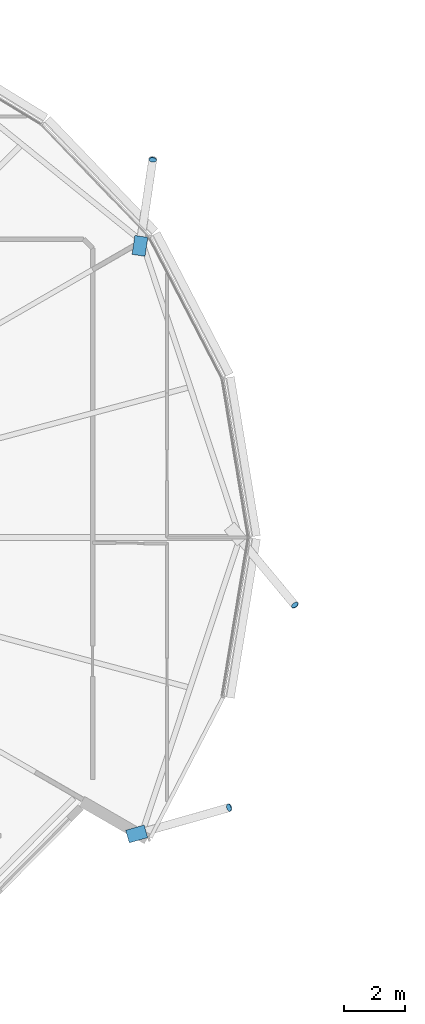
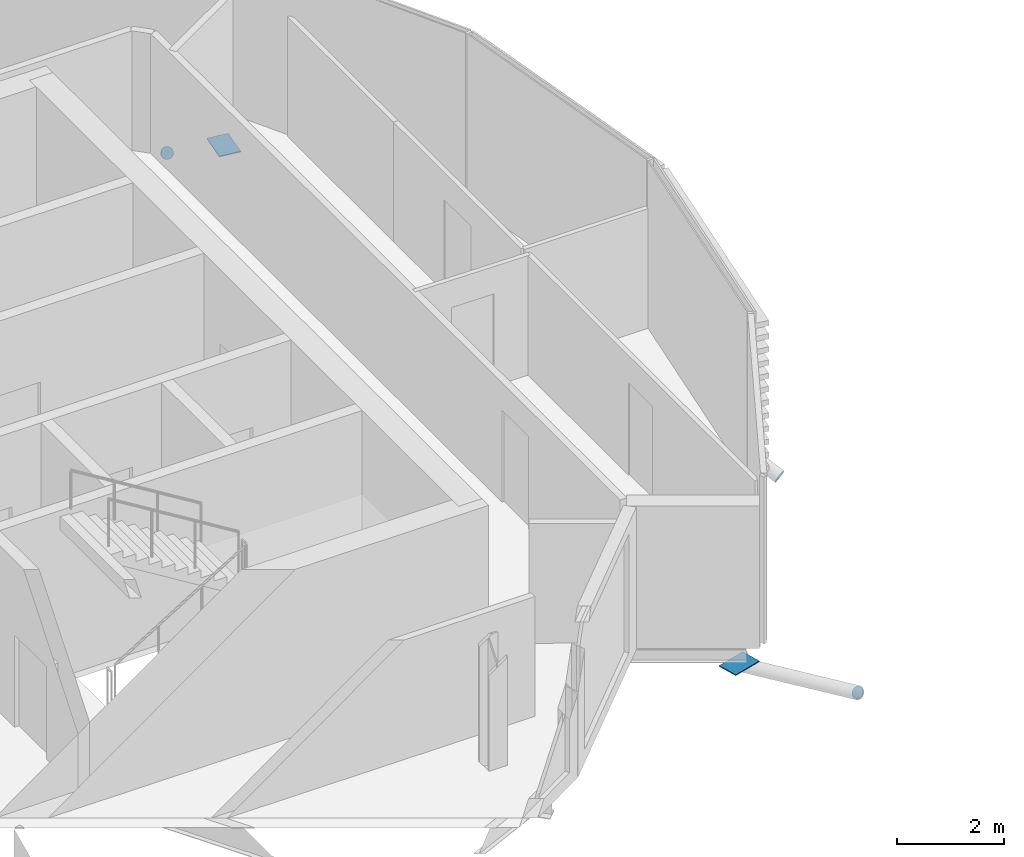
# One storey, part 24 of 33: 5 discrete accessories.
"""IFC4 building model written with IfcOpenShell, lengths in metres."""

from ifc_helpers import new_model, si_unit, direction, frame, origin, origin_2d, place, context, subcontext, project, spatial, polyline, rectangle, circle, outline, extrude, material, material_profile, profile_set, type_object, element, save


model = new_model("IFC4")

# Units and contexts
model_context = context("Model", 3, precision=1e-05, world=origin(), true_north=direction((0.0, 1.0)))
body_context = subcontext(model_context, "Body", "Model", "MODEL_VIEW")
ifc_project = project(units=[si_unit("LENGTHUNIT", "METRE"), si_unit("AREAUNIT", "SQUARE_METRE"), si_unit("VOLUMEUNIT", "CUBIC_METRE"), si_unit("PLANEANGLEUNIT", "RADIAN"), si_unit("MASSUNIT", "GRAM", prefix="KILO")], contexts=[model_context])

# Site, building, storey
site_placement = place(None, origin())
site = spatial("IfcSite", under=ifc_project, at=site_placement, CompositionType="ELEMENT")
building_placement = place(site_placement, origin())
building = spatial("IfcBuilding", under=site, at=building_placement, Name="Rimbun Link Towers", CompositionType="ELEMENT")
storey_placement = place(building_placement, frame((0.0, 0.0, 240.89990234375)))
storey = spatial("IfcBuildingStorey", under=building, at=storey_placement, Name="L59", CompositionType="ELEMENT", Elevation=240.89990234375)

# Discrete accessories
ifc_material_1 = material(Name="Steel S355J2H", Category="steel")
ifc_material_profile_1 = material_profile(ifc_material_1, circle(Radius=0.1240234375, at=origin_2d()), Name="PL D248")
ifc_profile_set_1 = profile_set([ifc_material_profile_1], Name="Steel S355J2H")
discrete_accessory_type_1 = type_object("IfcDiscreteAccessoryType", Name="Link foot sealing plate D248X20", PredefinedType="BRACKET", material=ifc_profile_set_1)
discrete_accessory_1_placement = place(storey_placement, frame((-9.773193359375, -2.228515625, -2.59228515625), z_axis=(0.529534163287, -0.652681643121, -0.54184891127), x_axis=(0.776561986372, 0.630040856868, 0.0)))
element("IfcDiscreteAccessory", 1, at=discrete_accessory_1_placement, inside=storey, type_object=discrete_accessory_type_1, Name="Link foot sealing plate T1 L59 00", PredefinedType="BRACKET", context=body_context, shape_type="SweptSolid", body=[
    extrude(circle(Radius=0.1240234375, at=origin_2d()), origin(), (0.0, 0.0, 1.0), 0.019775390625),
])
discrete_accessory_2_placement = place(storey_placement, frame((-14.46240234375, 12.460205078125, -2.497802734375), z_axis=(0.109617614286, 0.803862504766, -0.584627276193), x_axis=(-0.990830168044, 0.135113204733, 0.0)))
element("IfcDiscreteAccessory", 2, at=discrete_accessory_2_placement, inside=storey, type_object=discrete_accessory_type_1, Name="Link foot sealing plate T1 L59 02", PredefinedType="BRACKET", context=body_context, shape_type="SweptSolid", body=[
    extrude(circle(Radius=0.1240234375, at=origin_2d()), origin(), (0.0, 0.0, 1.0), 0.02001953125),
])
discrete_accessory_3_placement = place(storey_placement, frame((-11.945556640625, -8.918701171875, -2.701171875), z_axis=(0.786060484077, 0.221079511147, -0.577263167994), x_axis=(-0.270745576918, 0.962650940154, 0.0)))
element("IfcDiscreteAccessory", 3, at=discrete_accessory_3_placement, inside=storey, type_object=discrete_accessory_type_1, Name="Link foot sealing plate T1 L59 22", PredefinedType="BRACKET", context=body_context, shape_type="SweptSolid", body=[
    extrude(circle(Radius=0.1240234375, at=origin_2d()), origin(), (0.0, 0.0, 1.0), 0.019775390625),
])
ifc_material_2 = material(Name="Steel S355J2H", Category="steel")
ifc_material_profile_2 = material_profile(ifc_material_2, rectangle(XDim=0.43310546875, YDim=0.43310546875, at=origin_2d()), Name="PL 433x433")
ifc_profile_set_2 = profile_set([ifc_material_profile_2], Name="Steel S355J2H")
discrete_accessory_type_2 = type_object("IfcDiscreteAccessoryType", Name="Link head end plate 433X20", PredefinedType="BRACKET", material=ifc_profile_set_2)
discrete_accessory_4_placement = place(storey_placement, frame((0.0, 0.0, -0.46337890625)))
element("IfcDiscreteAccessory", 4, at=discrete_accessory_4_placement, inside=storey, type_object=discrete_accessory_type_2, Name="Link head end plate T1 L59 02", PredefinedType="BRACKET", context=body_context, shape_type="SweptSolid", body=[
    extrude(outline(polyline([(-14.715576171875, 9.27685546875), (-14.622802734375, 9.902099609375), (-15.05126953125, 9.965576171875), (-15.143798828125, 9.34033203125), (-14.715576171875, 9.27685546875)])), origin(), (0.0, 0.0, 1.0), 0.02001953125),
])
discrete_accessory_5_placement = place(storey_placement, frame((0.0, 0.0, -0.46337890625)))
element("IfcDiscreteAccessory", 5, at=discrete_accessory_5_placement, inside=storey, type_object=discrete_accessory_type_2, Name="Link head end plate T1 L59 22", PredefinedType="BRACKET", context=body_context, shape_type="SweptSolid", body=[
    extrude(outline(polyline([(-15.234375, -10.0791015625), (-14.62548828125, -9.906005859375), (-14.744140625, -9.489501953125), (-15.352783203125, -9.66259765625), (-15.234375, -10.0791015625)])), origin(), (0.0, 0.0, 1.0), 0.02001953125),
])

save(model, "model.ifc")
